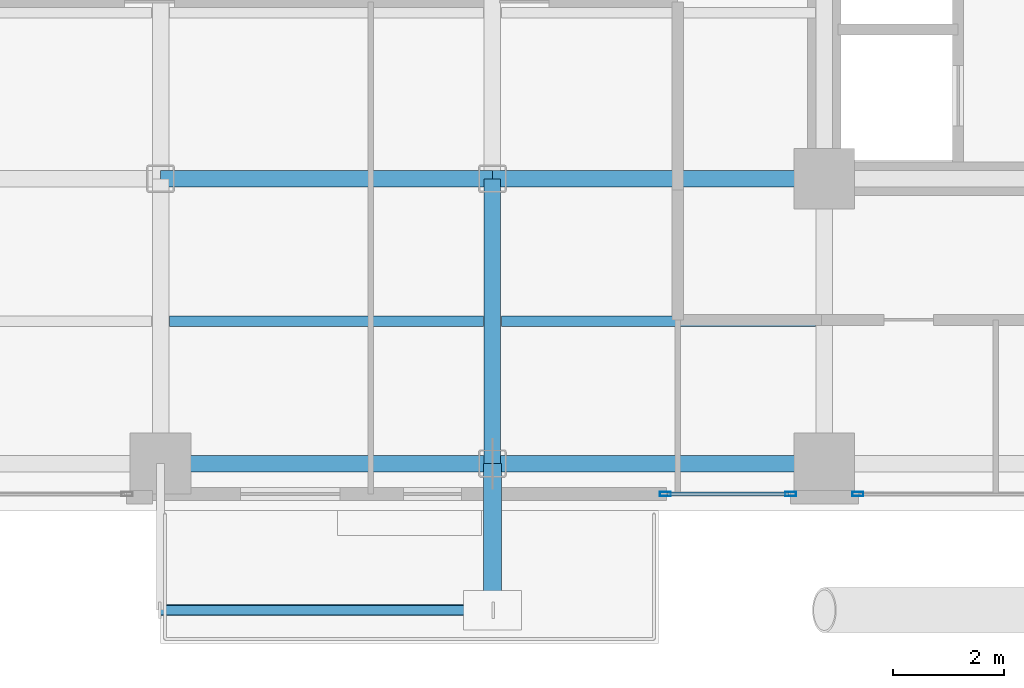
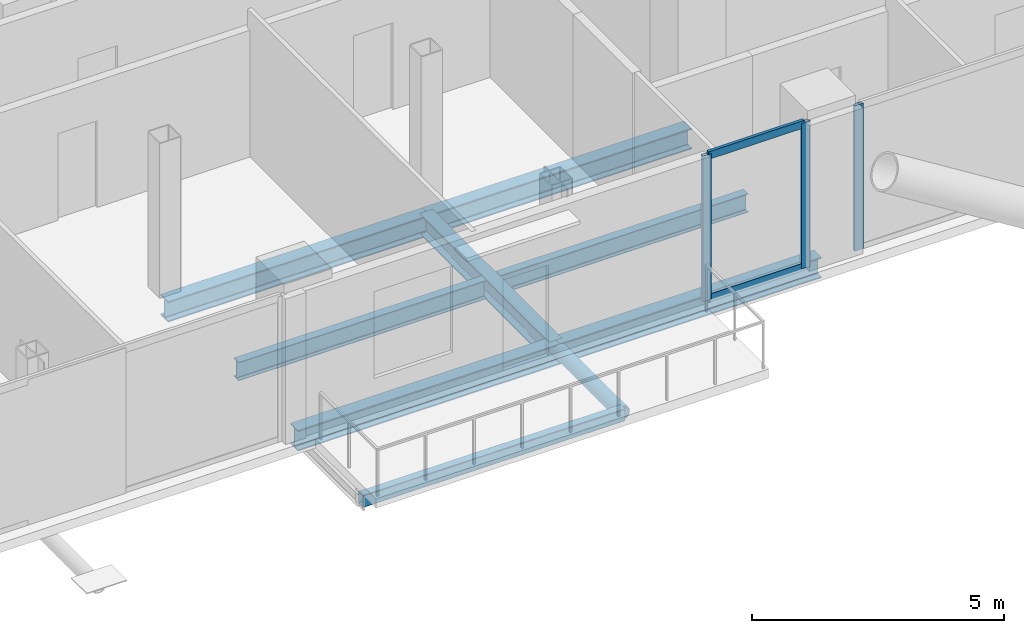
# One storey, part 3 of 24: 8 beams, 6 members, 2 elements without a shape of their own.
"""IFC4 building model written with IfcOpenShell, lengths in metres."""

import ifcopenshell
import ifcopenshell.guid

model = None  # the IFC model being written
_history = None  # IfcOwnerHistory: only IFC2X3 demands one
_inside = {}  # id of a spatial element -> (the spatial element, [elements in it])
_under = {}  # id of a project, library or spatial element -> (it, [spatial elements below it])
_declared = {}  # id of a project -> (the project, [libraries it declares])
_typed = {}  # id of a type object -> (the type object, [elements of that type])
_made_of = {}  # id of a material, layer set ... -> (it, [elements and type objects made of it])


def new_model(schema):
    """Start an empty IFC model of exactly this schema.

    Asked for "IFC4X3", IfcOpenShell would pick the latest addendum, in which some entities
    have other attributes; the version numbers below select the first issue.
    IFC2X3 requires an IfcOwnerHistory on every rooted entity: one is made here for all.
    """
    global model, _history
    if schema == "IFC4X3":
        model = ifcopenshell.file(schema_version=(4, 3, 0, 0))
    else:
        model = ifcopenshell.file(schema=schema)
    _inside.clear()
    _under.clear()
    _declared.clear()
    _typed.clear()
    _made_of.clear()
    _history = None
    if model.schema == "IFC2X3":
        org = make("IfcOrganization", Name="unknown")
        user = make(
            "IfcPersonAndOrganization",
            ThePerson=make("IfcPerson", FamilyName="unknown"),
            TheOrganization=org,
        )
        app = make(
            "IfcApplication",
            ApplicationDeveloper=org,
            Version="unknown",
            ApplicationFullName="unknown",
            ApplicationIdentifier="unknown",
        )
        _history = make(
            "IfcOwnerHistory",
            OwningUser=user,
            OwningApplication=app,
            ChangeAction="ADDED",
            CreationDate=0,
        )
    return model


def make(cls, **values):
    """One entity of the class cls with the attributes given. An attribute that is None is left unset."""
    return model.create_entity(
        cls, **{name: value for name, value in values.items() if value is not None}
    )


def rooted(cls, **values):
    """An entity with a GlobalId (a new one), such as an element, a storey or a relation."""
    return make(cls, GlobalId=ifcopenshell.guid.new(), OwnerHistory=_history, **values)


def si_unit(unit_type, name, prefix=None):
    """IfcSIUnit, for example si_unit("LENGTHUNIT", "METRE", prefix="MILLI")."""
    return make("IfcSIUnit", UnitType=unit_type, Prefix=prefix, Name=name)


def assignment(units):
    """IfcUnitAssignment: the units of a project."""
    return None if units is None else make("IfcUnitAssignment", Units=units)


def point(xyz):
    """IfcCartesianPoint."""
    return None if xyz is None else make("IfcCartesianPoint", Coordinates=xyz)


def direction(xyz):
    """IfcDirection."""
    return None if xyz is None else make("IfcDirection", DirectionRatios=xyz)


def frame(location, z_axis=None, x_axis=None):
    """IfcAxis2Placement3D, a coordinate frame: its origin and axes. An axis left out is left unset."""
    return make(
        "IfcAxis2Placement3D",
        Location=point(location),
        Axis=direction(z_axis),
        RefDirection=direction(x_axis),
    )


def frame_2d(location, x_axis=None):
    """IfcAxis2Placement2D, a coordinate frame in the plane: its origin and x axis."""
    return make(
        "IfcAxis2Placement2D", Location=point(location), RefDirection=direction(x_axis)
    )


def origin():
    """The frame at (0, 0, 0) with its axes left unset."""
    return frame((0.0, 0.0, 0.0))


def origin_2d():
    """The frame at (0, 0) in the plane with its x axis left unset."""
    return frame_2d((0.0, 0.0))


def place(relative_to, where):
    """IfcLocalPlacement: puts the frame where relative to a parent placement (None: the world)."""
    return make(
        "IfcLocalPlacement", PlacementRelTo=relative_to, RelativePlacement=where
    )


def context(
    kind, dimensions, precision=None, world=None, true_north=None, identifier=None
):
    """IfcGeometricRepresentationContext, for example the 3D "Model" context."""
    return make(
        "IfcGeometricRepresentationContext",
        ContextIdentifier=identifier,
        ContextType=kind,
        CoordinateSpaceDimension=dimensions,
        Precision=precision,
        WorldCoordinateSystem=world,
        TrueNorth=true_north,
    )


def subcontext(parent, identifier, kind, view, scale=None):
    """IfcGeometricRepresentationSubContext, for example "Body" below "Model"."""
    return make(
        "IfcGeometricRepresentationSubContext",
        ContextIdentifier=identifier,
        ContextType=kind,
        ParentContext=parent,
        TargetScale=scale,
        TargetView=view,
    )


def project(units=None, contexts=None):
    """IfcProject with its units and contexts."""
    return rooted(
        "IfcProject",
        Name="project",
        RepresentationContexts=contexts,
        UnitsInContext=assignment(units),
    )


def spatial(cls, under=None, at=None, **own):
    """A site, building, storey or space (cls), placed at a placement, below another one or the project."""
    s = rooted(cls, ObjectPlacement=at, **own)
    if under is not None:
        _under.setdefault(under.id(), (under, []))[1].append(s)
    return s


def profile(cls, at=None, kind="AREA", **sizes):
    """A parametric profile (cls). Its sizes go by their IFC names, for example OverallWidth=200.0."""
    return make(cls, ProfileType=kind, Position=at, **sizes)


def hollow_rectangle(**sizes):
    """IfcRectangleHollowProfileDef."""
    return profile("IfcRectangleHollowProfileDef", **sizes)


def hollow_circle(**sizes):
    """IfcCircleHollowProfileDef."""
    return profile("IfcCircleHollowProfileDef", **sizes)


def i_section(**sizes):
    """IfcIShapeProfileDef."""
    return profile("IfcIShapeProfileDef", **sizes)


def extrude(swept, where, along, depth):
    """IfcExtrudedAreaSolid: the profile swept, set in the frame where, extruded along a direction by depth."""
    return make(
        "IfcExtrudedAreaSolid",
        SweptArea=swept,
        Position=where,
        ExtrudedDirection=direction(along),
        Depth=depth,
    )


def shape(context_of_items, identifier, shape_type, items):
    """IfcShapeRepresentation: the items that make up one representation, for example the "Body"."""
    return make(
        "IfcShapeRepresentation",
        ContextOfItems=context_of_items,
        RepresentationIdentifier=identifier,
        RepresentationType=shape_type,
        Items=items,
    )


def material(Name=None, Category=None):
    """IfcMaterial."""
    return make("IfcMaterial", Name=Name, Category=Category)


def layer(
    of_material, thickness, ventilated=None, Name=None, Category=None, Priority=None
):
    """IfcMaterialLayer: one layer of a wall or slab, of a material (None: an air gap)."""
    return make(
        "IfcMaterialLayer",
        Material=of_material,
        LayerThickness=thickness,
        IsVentilated=ventilated,
        Name=Name,
        Category=Category,
        Priority=Priority,
    )


def layer_set(layers, Name=None):
    """IfcMaterialLayerSet."""
    return make("IfcMaterialLayerSet", MaterialLayers=layers, LayerSetName=Name)


def material_profile(
    of_material, cross_section, Name=None, Category=None, Priority=None
):
    """IfcMaterialProfile: a cross section and its material."""
    return make(
        "IfcMaterialProfile",
        Name=Name,
        Material=of_material,
        Profile=cross_section,
        Priority=Priority,
        Category=Category,
    )


def profile_set(profiles, Name=None, composite=None):
    """IfcMaterialProfileSet."""
    return make(
        "IfcMaterialProfileSet",
        Name=Name,
        MaterialProfiles=profiles,
        CompositeProfile=composite,
    )


def made_of(thing, what):
    """Note that an element or type object is made of a material, layer set ...; save() writes the relation."""
    if what is not None:
        _made_of.setdefault(what.id(), (what, []))[1].append(thing)
    return thing


def type_object(cls, material=None, **own):
    """A type object (cls), such as IfcWallType, which elements share."""
    return made_of(rooted(cls, **own), material)


def element(
    cls,
    number,
    at=None,
    inside=None,
    cuts=None,
    type_object=None,
    material=None,
    context=None,
    identifier="Body",
    shape_type=None,
    held_by="IfcProductDefinitionShape",
    body=None,
    shapes=None,
    **own,
):
    """One element of the class cls, such as IfcWall. Its Tag is "e" and its number.

    at: its placement. inside: the storey or other place that contains it. cuts: it is an
    opening in that element (IfcRelVoidsElement). A single representation is given by context,
    identifier, shape_type and body (its items); several are given by shapes. held_by: the class
    of the entity that holds the representations. save() writes the other relations.
    """
    e = rooted(cls, Tag="e%d" % number, ObjectPlacement=at, **own)
    if body is not None:
        shapes = [shape(context, identifier, shape_type, body)]
    if shapes is not None:
        e.Representation = make(held_by, Representations=shapes)
    if inside is not None:
        _inside.setdefault(inside.id(), (inside, []))[1].append(e)
    if cuts is not None:
        rooted(
            "IfcRelVoidsElement", RelatingBuildingElement=cuts, RelatedOpeningElement=e
        )
    if type_object is not None:
        _typed.setdefault(type_object.id(), (type_object, []))[1].append(e)
    return made_of(e, material)


def aggregate(whole, parts):
    """IfcRelAggregates: a whole, such as a stair, and the parts it consists of."""
    return rooted("IfcRelAggregates", RelatingObject=whole, RelatedObjects=parts)


def save(model, path):
    """Write the relations noted so far, then the file.

    IfcRelAggregates (storeys below a building ...), IfcRelContainedInSpatialStructure (elements
    in a storey), IfcRelDefinesByType, IfcRelAssociatesMaterial and IfcRelDeclares: one each for
    every whole, place, type object, material and project.
    """
    for whole, parts in _under.values():
        aggregate(whole, parts)
    for where, things in _inside.values():
        rooted(
            "IfcRelContainedInSpatialStructure",
            RelatedElements=things,
            RelatingStructure=where,
        )
    for kind, things in _typed.values():
        rooted("IfcRelDefinesByType", RelatedObjects=things, RelatingType=kind)
    for what, things in _made_of.values():
        rooted("IfcRelAssociatesMaterial", RelatedObjects=things, RelatingMaterial=what)
    for by, libraries in _declared.values():
        rooted("IfcRelDeclares", RelatingContext=by, RelatedDefinitions=libraries)
    model.write(path)


model = new_model("IFC4")

# Units and contexts
model_context = context("Model", 3, precision=1e-05, world=origin(), true_north=direction((0.0, 1.0)))
body_context = subcontext(model_context, "Body", "Model", "MODEL_VIEW")
ifc_project = project(units=[si_unit("LENGTHUNIT", "METRE"), si_unit("AREAUNIT", "SQUARE_METRE"), si_unit("VOLUMEUNIT", "CUBIC_METRE"), si_unit("PLANEANGLEUNIT", "RADIAN"), si_unit("MASSUNIT", "GRAM", prefix="KILO"), si_unit("THERMODYNAMICTEMPERATUREUNIT", "KELVIN"), si_unit("POWERUNIT", "WATT")], contexts=[model_context])

# Site, building, storey
site_placement = place(None, origin())
site = spatial("IfcSite", under=ifc_project, at=site_placement, CompositionType="ELEMENT")
building_placement = place(site_placement, origin())
building = spatial("IfcBuilding", under=site, at=building_placement, Name="Svarakhadi Broadcast Tower", CompositionType="ELEMENT")
storey_placement = place(building_placement, frame((0.0, 0.0, 141.89990234375)))
storey = spatial("IfcBuildingStorey", under=building, at=storey_placement, Name="L34", CompositionType="ELEMENT", Elevation=141.89990234375)

# Beams
ifc_material_1 = material(Name="Steel S355J2 (IS 2062 E350C)", Category="steel")
ifc_material_profile_1 = material_profile(ifc_material_1, i_section(OverallWidth=0.18994140625, OverallDepth=0.449951171875, WebThickness=0.009521484375, FlangeThickness=0.0146484375, FilletRadius=0.02099609375, at=origin_2d()), Name="NPB 450x190x78")
ifc_profile_set_1 = profile_set([ifc_material_profile_1], Name="Steel S355J2 (IS 2062 E350C)")
beam_type_1 = type_object("IfcBeamType", Name="Beam_NPB450", PredefinedType="BEAM", material=ifc_profile_set_1)
for number, where, z_axis, x_axis, name in (
    (1, (12.159912109375, 3.425048828125, -0.449951171875), (1.0, 0.0, 0.0), (0.0, 1.0, 0.0), "L34 Secondary Composite Beam SB011"),
    (2, (18.159912109375, 3.425048828125, -0.449951171875), (1.0, 0.0, 0.0), (0.0, 1.0, 0.0), "L34 Secondary Composite Beam SB016"),
):
    element("IfcBeam", number, at=place(storey_placement, frame(where, z_axis=z_axis, x_axis=x_axis)), inside=storey, type_object=beam_type_1, Name=name, PredefinedType="BEAM", context=body_context, shape_type="SweptSolid", body=[
        extrude(i_section(OverallWidth=0.18994140625, OverallDepth=0.449951171875, WebThickness=0.009521484375, FlangeThickness=0.0146484375, FilletRadius=0.02099609375, at=origin_2d()), origin(), (0.0, 0.0, 1.0), 5.68017578125),
    ])

# Curtain wall, member
ifc_material_2 = material(Name="Anodised Bronze Aluminium AA 6063-T6", Category="aluminium")
ifc_layer = layer(ifc_material_2, 0.199951171875)
ifc_layer_set = layer_set([ifc_layer], Name="Anodised Bronze Aluminium AA 6063-T6")
curtain_wall_type = type_object("IfcCurtainWallType", Name="CW_Sys_03", PredefinedType="NOTDEFINED", material=ifc_layer_set)
curtain_wall_1_placement = place(storey_placement, origin())
curtain_wall_1 = element("IfcCurtainWall", 3, at=curtain_wall_1_placement, inside=storey, type_object=curtain_wall_type, Name="L34 South Curtain Wall 16 Bay 3", PredefinedType="NOTDEFINED")
ifc_material_profile_2 = material_profile(ifc_material_2, hollow_rectangle(XDim=0.074951171875, YDim=0.199951171875, WallThickness=0.005615234375, at=origin_2d()), Name="ALU MULLION 200x75x6")
ifc_profile_set_2 = profile_set([ifc_material_profile_2], Name="Anodised Bronze Aluminium AA 6063-T6")
member_type_1 = type_object("IfcMemberType", Name="CW_Sys_03_Mul", PredefinedType="MULLION", material=ifc_profile_set_2)
member_1_placement = place(storey_placement, frame((24.607421875, 0.300048828125, 0.0), z_axis=(0.0, 0.0, 1.0), x_axis=(0.0, -1.0, 0.0)))
member_1 = element("IfcMember", 4, at=member_1_placement, type_object=member_type_1, Name="CW-03 mullion 2", PredefinedType="MULLION", context=body_context, shape_type="SweptSolid", body=[
    extrude(hollow_rectangle(XDim=0.074951171875, YDim=0.199951171875, WallThickness=0.005615234375, at=origin_2d()), origin(), (0.0, 0.0, 1.0), 3.525146484375),
])
aggregate(curtain_wall_1, [member_1])

# Curtain wall, members
curtain_wall_2_placement = place(storey_placement, origin())
curtain_wall_2 = element("IfcCurtainWall", 5, at=curtain_wall_2_placement, inside=storey, type_object=curtain_wall_type, Name="L34 South Curtain Wall 16 Bay 4", PredefinedType="NOTDEFINED")
member_2_placement = place(storey_placement, frame((23.392578125, 0.300048828125, 0.0), z_axis=(0.0, 0.0, 1.0), x_axis=(0.0, -1.0, 0.0)))
member_2 = element("IfcMember", 6, at=member_2_placement, type_object=member_type_1, Name="CW-03 mullion 1", PredefinedType="MULLION", context=body_context, shape_type="SweptSolid", body=[
    extrude(hollow_rectangle(XDim=0.074951171875, YDim=0.199951171875, WallThickness=0.005615234375, at=origin_2d()), origin(), (0.0, 0.0, 1.0), 3.525146484375),
])
member_3_placement = place(storey_placement, frame((21.12744140625, 0.300048828125, 0.0), z_axis=(0.0, 0.0, 1.0), x_axis=(0.0, -1.0, 0.0)))
member_3 = element("IfcMember", 7, at=member_3_placement, type_object=member_type_1, Name="CW-03 mullion 2", PredefinedType="MULLION", context=body_context, shape_type="SweptSolid", body=[
    extrude(hollow_rectangle(XDim=0.074951171875, YDim=0.199951171875, WallThickness=0.005615234375, at=origin_2d()), origin(), (0.0, 0.0, 1.0), 3.525146484375),
])
ifc_material_profile_3 = material_profile(ifc_material_2, hollow_rectangle(XDim=0.070068359375, YDim=0.18505859375, WallThickness=0.0048828125, at=origin_2d()), Name="ALU TRANSOM 185x70x5")
ifc_profile_set_3 = profile_set([ifc_material_profile_3], Name="Anodised Bronze Aluminium AA 6063-T6")
member_type_2 = type_object("IfcMemberType", Name="CW_Sys_03_Trn", PredefinedType="USERDEFINED", material=ifc_profile_set_3)
member_4_placement = place(storey_placement, frame((23.35498046875, 0.300048828125, 0.03515625), z_axis=(-1.0, 0.0, 0.0), x_axis=(0.0, -1.0, 0.0)))
member_4 = element("IfcMember", 8, at=member_4_placement, type_object=member_type_2, Name="CW-03 transom 1.1", ObjectType="TRANSOM", PredefinedType="USERDEFINED", context=body_context, shape_type="SweptSolid", body=[
    extrude(hollow_rectangle(XDim=0.070068359375, YDim=0.18505859375, WallThickness=0.0048828125, at=origin_2d()), origin(), (0.0, 0.0, 1.0), 2.18994140625),
])
member_5_placement = place(storey_placement, frame((23.35498046875, 0.300048828125, 3.489990234375), z_axis=(-1.0, 0.0, 0.0), x_axis=(0.0, -1.0, 0.0)))
member_5 = element("IfcMember", 9, at=member_5_placement, type_object=member_type_2, Name="CW-03 transom 1.2", ObjectType="TRANSOM", PredefinedType="USERDEFINED", context=body_context, shape_type="SweptSolid", body=[
    extrude(hollow_rectangle(XDim=0.070068359375, YDim=0.18505859375, WallThickness=0.0048828125, at=origin_2d()), origin(), (0.0, 0.0, 1.0), 2.18994140625),
])
aggregate(curtain_wall_2, [member_2, member_3, member_4, member_5])

# Member
ifc_material_3 = material(Name="Steel S460ML (IS 2062 E450BR)", Category="steel")
ifc_material_profile_4 = material_profile(ifc_material_3, hollow_circle(Radius=0.161865234375, WallThickness=0.01611328125, at=origin_2d()), Name="CHS 323.9x16")
ifc_profile_set_4 = profile_set([ifc_material_profile_4], Name="Steel S460ML (IS 2062 E450BR)")
member_type_3 = type_object("IfcMemberType", Name="Exo_Radial_Strut_Z2", PredefinedType="STRUT", material=ifc_profile_set_4)
member_6_placement = place(storey_placement, frame((18.0, -1.800048828125, -0.386962890625), z_axis=(0.0, 1.0, 0.0), x_axis=(-1.0, 0.0, 0.0)))
element("IfcMember", 10, at=member_6_placement, inside=storey, type_object=member_type_3, Name="L34 Exoskeleton Radial Tie Strut S02", PredefinedType="STRUT", context=body_context, shape_type="SweptSolid", body=[
    extrude(hollow_circle(Radius=0.161865234375, WallThickness=0.01611328125, at=origin_2d()), origin(), (0.0, 0.0, 1.0), 2.650146484375),
])

# Beams
ifc_material_profile_5 = material_profile(ifc_material_1, i_section(OverallWidth=0.300048828125, OverallDepth=0.5, WebThickness=0.014404296875, FlangeThickness=0.028076171875, FilletRadius=0.027099609375, at=origin_2d()), Name="WPB 500x300x187")
ifc_profile_set_5 = profile_set([ifc_material_profile_5], Name="Steel S355J2 (IS 2062 E350C)")
beam_type_2 = type_object("IfcBeamType", Name="Girder_WPB500", PredefinedType="USERDEFINED", material=ifc_profile_set_5)
for number, where, z_axis, x_axis, name in (
    (11, (12.0, 0.85009765625, -0.474853515625), (1.0, 0.0, 0.0), (0.0, 1.0, 0.0), "L34 Primary E-W Girder G005"),
    (12, (18.0, 0.85009765625, -0.474853515625), (1.0, 0.0, 0.0), (0.0, 1.0, 0.0), "L34 Primary E-W Girder G006"),
    (13, (12.0, 6.0, -0.474853515625), (1.0, 0.0, 0.0), (0.0, 1.0, 0.0), "L34 Primary E-W Girder G012"),
    (14, (18.0, 6.0, -0.474853515625), (1.0, 0.0, 0.0), (0.0, 1.0, 0.0), "L34 Primary E-W Girder G013"),
):
    element("IfcBeam", number, at=place(storey_placement, frame(where, z_axis=z_axis, x_axis=x_axis)), inside=storey, type_object=beam_type_2, Name=name, ObjectType="GIRDER", PredefinedType="USERDEFINED", context=body_context, shape_type="SweptSolid", body=[
        extrude(i_section(OverallWidth=0.300048828125, OverallDepth=0.5, WebThickness=0.014404296875, FlangeThickness=0.028076171875, FilletRadius=0.027099609375, at=origin_2d()), origin(), (0.0, 0.0, 1.0), 6.0),
    ])
beam_1_placement = place(storey_placement, frame((18.0, 0.85009765625, -0.474853515625), z_axis=(0.0, 1.0, 0.0), x_axis=(-1.0, 0.0, 0.0)))
element("IfcBeam", 15, at=beam_1_placement, inside=storey, type_object=beam_type_2, Name="L34 Primary N-S Girder G056", ObjectType="GIRDER", PredefinedType="USERDEFINED", context=body_context, shape_type="SweptSolid", body=[
    extrude(i_section(OverallWidth=0.300048828125, OverallDepth=0.5, WebThickness=0.014404296875, FlangeThickness=0.028076171875, FilletRadius=0.027099609375, at=origin_2d()), origin(), (0.0, 0.0, 1.0), 5.14990234375),
])
ifc_material_profile_6 = material_profile(ifc_material_3, hollow_rectangle(XDim=0.199951171875, YDim=0.300048828125, WallThickness=0.012451171875, InnerFilletRadius=0.012451171875, OuterFilletRadius=0.02490234375, at=origin_2d()), Name="RHS 300x200x12.5")
ifc_profile_set_6 = profile_set([ifc_material_profile_6], Name="Steel S460ML (IS 2062 E450BR)")
beam_type_3 = type_object("IfcBeamType", Name="Spandrel_RHS300", PredefinedType="SPANDREL", material=ifc_profile_set_6)
beam_2_placement = place(storey_placement, frame((12.0, -1.800048828125, -0.375), z_axis=(1.0, 0.0, 0.0), x_axis=(0.0, 1.0, 0.0)))
element("IfcBeam", 16, at=beam_2_placement, inside=storey, type_object=beam_type_3, Name="L34 Balcony Outer Spandrel 1F", PredefinedType="SPANDREL", context=body_context, shape_type="SweptSolid", body=[
    extrude(hollow_rectangle(XDim=0.199951171875, YDim=0.300048828125, WallThickness=0.012451171875, InnerFilletRadius=0.012451171875, OuterFilletRadius=0.02490234375, at=origin_2d()), origin(), (0.0, 0.0, 1.0), 6.0),
])

save(model, "model.ifc")
